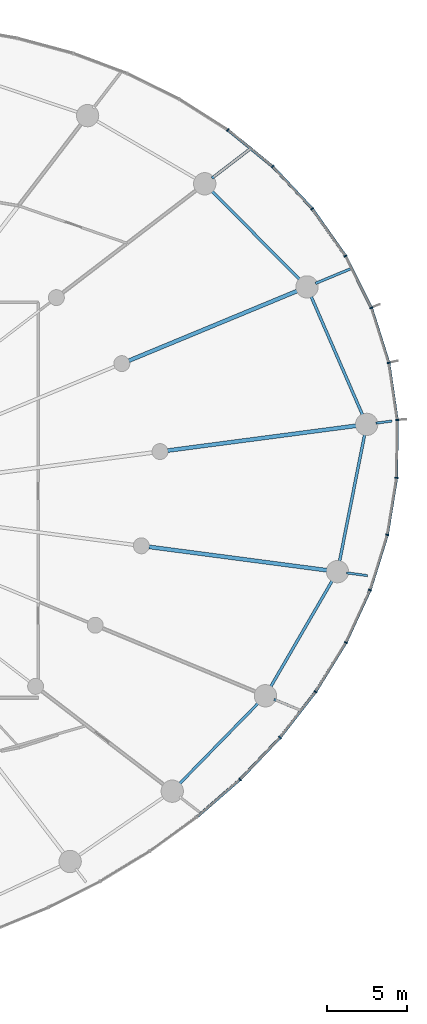
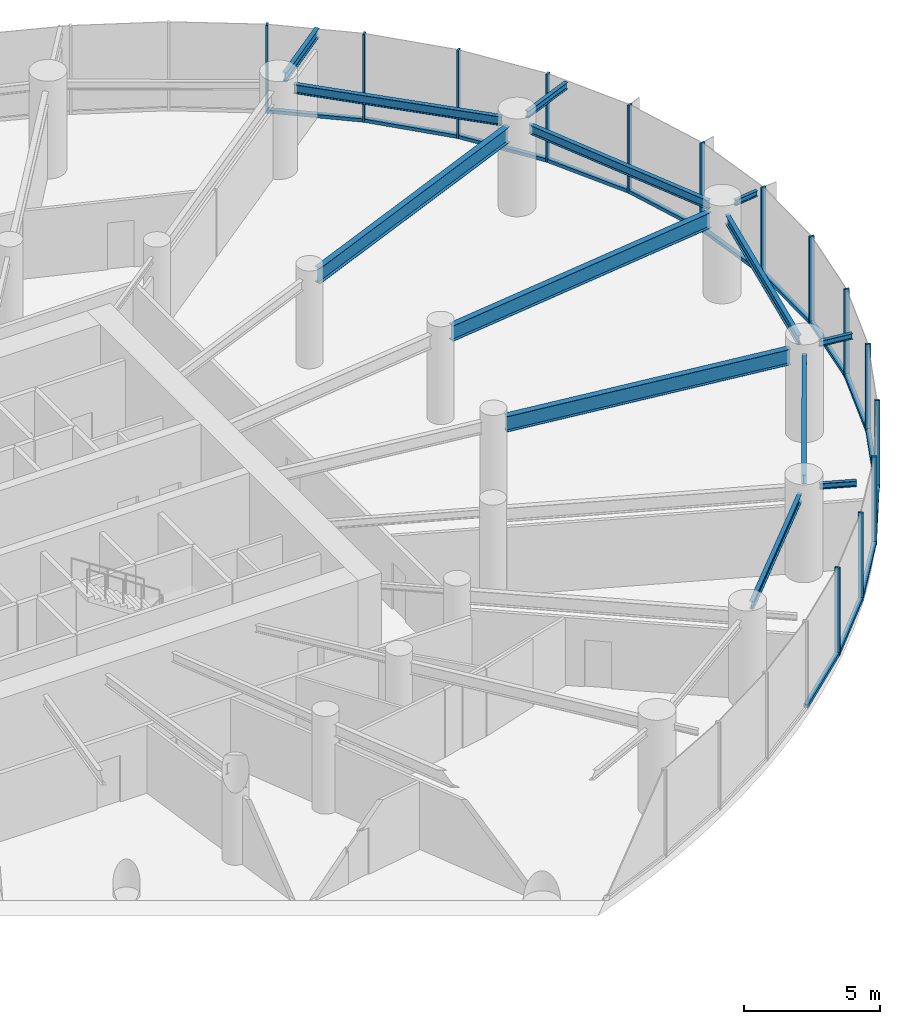
# One storey, part 8 of 18: 28 members, 13 beams, 3 elements without a shape of their own.
"""IFC4 building model written with IfcOpenShell, lengths in metres."""

from ifc_helpers import new_model, si_unit, direction, frame, origin, origin_2d, place, context, subcontext, project, spatial, rectangle, i_section, extrude, source, transform, mapped, material, layer, layer_set, material_profile, profile_set, type_object, element, aggregate, save


model = new_model("IFC4")

# Units and contexts
model_context = context("Model", 3, precision=1e-05, world=origin(), true_north=direction((0.0, 1.0)))
body_context = subcontext(model_context, "Body", "Model", "MODEL_VIEW")
ifc_project = project(units=[si_unit("LENGTHUNIT", "METRE"), si_unit("AREAUNIT", "SQUARE_METRE"), si_unit("VOLUMEUNIT", "CUBIC_METRE"), si_unit("PLANEANGLEUNIT", "RADIAN"), si_unit("MASSUNIT", "GRAM", prefix="KILO")], contexts=[model_context])

# Site, building, storey
site_placement = place(None, origin())
site = spatial("IfcSite", under=ifc_project, at=site_placement, CompositionType="ELEMENT")
building_placement = place(site_placement, origin())
building = spatial("IfcBuilding", under=site, at=building_placement, Name="Spindrift Exchange Tower", CompositionType="ELEMENT")
storey_placement = place(building_placement, frame((0.0, 0.0, 62.199951171875)))
storey = spatial("IfcBuildingStorey", under=building, at=storey_placement, Name="L14", CompositionType="ELEMENT", Elevation=62.199951171875)

# Beams
ifc_material_1 = material(Name="Steel Grade 300", Category="steel")
ifc_material_profile_1 = material_profile(ifc_material_1, i_section(OverallWidth=0.25, OverallDepth=0.699951171875, WebThickness=0.008056640625, FlangeThickness=0.011962890625, at=origin_2d()), Name="700WB115")
ifc_profile_set_1 = profile_set([ifc_material_profile_1], Name="Steel Grade 300")
beam_type_1 = type_object("IfcBeamType", Name="Floor Beam 700WB115 Steel Grade 300", PredefinedType="BEAM", material=ifc_profile_set_1)
shared_shape_1 = source(origin(), body_context, "Body", "SweptSolid", [
    extrude(i_section(OverallWidth=0.25, OverallDepth=0.699951171875, WebThickness=0.008056640625, FlangeThickness=0.011962890625, at=origin_2d()), origin(), (0.0, 0.0, 1.0), 12.00830078125),
])
beam_1_placement = place(storey_placement, frame((75.509765625, 51.09521484375, 3.60009765625), z_axis=(0.991444950947, 0.130525511844, 0.0), x_axis=(-0.130525511844, 0.991444950947, 0.0)))
element("IfcBeam", 1, at=beam_1_placement, inside=storey, type_object=beam_type_1, Name="L14 radial beam R01B", PredefinedType="BEAM", context=body_context, shape_type="MappedRepresentation", body=[
    mapped(shared_shape_1, transform((0.0, 0.0, 0.0), scale=1.0)),
])
shared_shape_2 = source(origin(), body_context, "Body", "SweptSolid", [
    extrude(i_section(OverallWidth=0.25, OverallDepth=0.699951171875, WebThickness=0.008056640625, FlangeThickness=0.011962890625, at=origin_2d()), origin(), (0.0, 0.0, 1.0), 11.505859375),
])
beam_2_placement = place(storey_placement, frame((73.082763671875, 56.73291015625, 3.60009765625), z_axis=(0.923881578419, 0.38267849307, 0.0), x_axis=(-0.38267849307, 0.923881578419, 0.0)))
element("IfcBeam", 2, at=beam_2_placement, inside=storey, type_object=beam_type_1, Name="L14 radial beam R02B", PredefinedType="BEAM", context=body_context, shape_type="MappedRepresentation", body=[
    mapped(shared_shape_2, transform((0.0, 0.0, 0.0), scale=1.0)),
])
shared_shape_3 = source(origin(), body_context, "Body", "SweptSolid", [
    extrude(i_section(OverallWidth=0.25, OverallDepth=0.699951171875, WebThickness=0.008056640625, FlangeThickness=0.011962890625, at=origin_2d()), origin(), (0.0, 0.0, 1.0), 11.34423828125),
])
beam_3_placement = place(storey_placement, frame((74.339111328125, 45.05908203125, 3.60009765625), z_axis=(0.991444770187, -0.130526884848, 0.0), x_axis=(0.130526884848, 0.991444770187, 0.0)))
element("IfcBeam", 3, at=beam_3_placement, inside=storey, type_object=beam_type_1, Name="L14 radial beam R24B", PredefinedType="BEAM", context=body_context, shape_type="MappedRepresentation", body=[
    mapped(shared_shape_3, transform((0.0, 0.0, 0.0), scale=1.0)),
])
ifc_material_profile_2 = material_profile(ifc_material_1, i_section(OverallWidth=0.177978515625, OverallDepth=0.406005859375, WebThickness=0.0078125, FlangeThickness=0.0126953125, FilletRadius=0.013916015625, at=origin_2d()), Name="410UB59.7")
ifc_profile_set_2 = profile_set([ifc_material_profile_2], Name="Steel Grade 300")
beam_type_2 = type_object("IfcBeamType", Name="Edge Beam 410UB59.7 Steel Grade 300", PredefinedType="SPANDREL", material=ifc_profile_set_2)
shared_shape_4 = source(origin(), body_context, "Body", "SweptSolid", [
    extrude(i_section(OverallWidth=0.177978515625, OverallDepth=0.406005859375, WebThickness=0.0078125, FlangeThickness=0.0126953125, FilletRadius=0.013916015625, at=origin_2d()), origin(), (0.0, 0.0, 1.0), 8.23681640625),
])
beam_4_placement = place(storey_placement, frame((87.759521484375, 53.270263671875, 3.7470703125), z_axis=(-0.398186298756, 0.91730456855, 0.0), x_axis=(-0.91730456855, -0.398186298756, 0.0)))
element("IfcBeam", 4, at=beam_4_placement, inside=storey, type_object=beam_type_2, Name="L14 edge beam E01", PredefinedType="SPANDREL", context=body_context, shape_type="MappedRepresentation", body=[
    mapped(shared_shape_4, transform((0.0, 0.0, 0.0), scale=1.0)),
])
shared_shape_5 = source(origin(), body_context, "Body", "SweptSolid", [
    extrude(i_section(OverallWidth=0.177978515625, OverallDepth=0.406005859375, WebThickness=0.0078125, FlangeThickness=0.0126953125, FilletRadius=0.013916015625, at=origin_2d()), origin(), (0.0, 0.0, 1.0), 7.947509765625),
])
beam_5_placement = place(storey_placement, frame((83.840576171875, 61.769775390625, 3.7470703125), z_axis=(-0.704197895271, 0.710003749494, 0.0), x_axis=(-0.710003749494, -0.704197895271, 0.0)))
element("IfcBeam", 5, at=beam_5_placement, inside=storey, type_object=beam_type_2, Name="L14 edge beam E02", PredefinedType="SPANDREL", context=body_context, shape_type="MappedRepresentation", body=[
    mapped(shared_shape_5, transform((0.0, 0.0, 0.0), scale=1.0)),
])
ifc_material_profile_3 = material_profile(ifc_material_1, i_section(OverallWidth=0.172119140625, OverallDepth=0.35888671875, WebThickness=0.008056640625, FlangeThickness=0.012939453125, FilletRadius=0.013916015625, at=origin_2d()), Name="360UB56.7")
ifc_profile_set_3 = profile_set([ifc_material_profile_3], Name="Steel Grade 300")
beam_type_3 = type_object("IfcBeamType", Name="Edge Beam 360UB56.7 Steel Grade 300", PredefinedType="SPANDREL", material=ifc_profile_set_3)
shared_shape_6 = source(origin(), body_context, "Body", "SweptSolid", [
    extrude(i_section(OverallWidth=0.172119140625, OverallDepth=0.35888671875, WebThickness=0.008056640625, FlangeThickness=0.012939453125, FilletRadius=0.013916015625, at=origin_2d()), origin(), (0.0, 0.0, 1.0), 7.2041015625),
])
beam_6_placement = place(storey_placement, frame((76.205810546875, 30.152099609375, 3.7705078125), z_axis=(0.698703626006, 0.715411240481, 0.0), x_axis=(-0.715411240481, 0.698703626006, 0.0)))
element("IfcBeam", 6, at=beam_6_placement, inside=storey, type_object=beam_type_3, Name="L14 edge beam E22", PredefinedType="SPANDREL", context=body_context, shape_type="MappedRepresentation", body=[
    mapped(shared_shape_6, transform((0.0, 0.0, 0.0), scale=1.0)),
])
shared_shape_7 = source(origin(), body_context, "Body", "SweptSolid", [
    extrude(i_section(OverallWidth=0.177978515625, OverallDepth=0.406005859375, WebThickness=0.0078125, FlangeThickness=0.0126953125, FilletRadius=0.013916015625, at=origin_2d()), origin(), (0.0, 0.0, 1.0), 7.837646484375),
])
beam_7_placement = place(storey_placement, frame((81.935791015625, 36.222412109375, 3.7470703125), z_axis=(0.50198145655, 0.864878382942, 0.0), x_axis=(-0.864878382942, 0.50198145655, 0.0)))
element("IfcBeam", 7, at=beam_7_placement, inside=storey, type_object=beam_type_2, Name="L14 edge beam E23", PredefinedType="SPANDREL", context=body_context, shape_type="MappedRepresentation", body=[
    mapped(shared_shape_7, transform((0.0, 0.0, 0.0), scale=1.0)),
])
shared_shape_8 = source(origin(), body_context, "Body", "SweptSolid", [
    extrude(i_section(OverallWidth=0.177978515625, OverallDepth=0.406005859375, WebThickness=0.0078125, FlangeThickness=0.0126953125, FilletRadius=0.013916015625, at=origin_2d()), origin(), (0.0, 0.0, 1.0), 8.2548828125),
])
beam_8_placement = place(storey_placement, frame((86.27392578125, 44.071533203125, 3.7470703125), z_axis=(0.194278723288, 0.9809463684, 0.0), x_axis=(-0.9809463684, 0.194278723288, 0.0)))
element("IfcBeam", 8, at=beam_8_placement, inside=storey, type_object=beam_type_2, Name="L14 edge beam E24", PredefinedType="SPANDREL", context=body_context, shape_type="MappedRepresentation", body=[
    mapped(shared_shape_8, transform((0.0, 0.0, 0.0), scale=1.0)),
])
ifc_material_profile_4 = material_profile(ifc_material_1, i_section(OverallWidth=0.14599609375, OverallDepth=0.251953125, WebThickness=0.006103515625, FlangeThickness=0.008544921875, FilletRadius=0.011962890625, at=origin_2d()), Name="250UB31.4")
ifc_profile_set_4 = profile_set([ifc_material_profile_4], Name="Steel Grade 300")
beam_type_4 = type_object("IfcBeamType", Name="Cantilever Beam 250UB31.4 Steel Grade 300", PredefinedType="BEAM", material=ifc_profile_set_4)
shared_shape_9 = source(origin(), body_context, "Body", "SweptSolid", [
    extrude(i_section(OverallWidth=0.14599609375, OverallDepth=0.251953125, WebThickness=0.006103515625, FlangeThickness=0.008544921875, FilletRadius=0.011962890625, at=origin_2d()), origin(), (0.0, 0.0, 1.0), 1.032470703125),
])
beam_9_placement = place(storey_placement, frame((88.5654296875, 52.81396484375, 3.823974609375), z_axis=(0.991445440374, 0.130521794201, 0.0), x_axis=(-0.130521794201, 0.991445440374, 0.0)))
element("IfcBeam", 9, at=beam_9_placement, inside=storey, type_object=beam_type_4, Name="L14 cantilever beam R01T", PredefinedType="BEAM", context=body_context, shape_type="MappedRepresentation", body=[
    mapped(shared_shape_9, transform((0.0, 0.0, 0.0), scale=1.0)),
])
ifc_material_profile_5 = material_profile(ifc_material_1, i_section(OverallWidth=0.1650390625, OverallDepth=0.303955078125, WebThickness=0.006103515625, FlangeThickness=0.01025390625, FilletRadius=0.011474609375, at=origin_2d()), Name="310UB40.4")
ifc_profile_set_5 = profile_set([ifc_material_profile_5], Name="Steel Grade 300")
beam_type_5 = type_object("IfcBeamType", Name="Cantilever Beam 310UB40.4 Steel Grade 300", PredefinedType="BEAM", material=ifc_profile_set_5)
shared_shape_10 = source(origin(), body_context, "Body", "SweptSolid", [
    extrude(i_section(OverallWidth=0.1650390625, OverallDepth=0.303955078125, WebThickness=0.006103515625, FlangeThickness=0.01025390625, FilletRadius=0.011474609375, at=origin_2d()), origin(), (0.0, 0.0, 1.0), 2.391357421875),
])
beam_10_placement = place(storey_placement, frame((84.78466796875, 61.579833984375, 3.798095703125), z_axis=(0.92385132208, 0.382751531272, 0.0), x_axis=(-0.382751531272, 0.92385132208, 0.0)))
element("IfcBeam", 10, at=beam_10_placement, inside=storey, type_object=beam_type_5, Name="L14 cantilever beam R02T", PredefinedType="BEAM", context=body_context, shape_type="MappedRepresentation", body=[
    mapped(shared_shape_10, transform((0.0, 0.0, 0.0), scale=1.0)),
])
ifc_material_profile_6 = material_profile(ifc_material_1, i_section(OverallWidth=0.177978515625, OverallDepth=0.406005859375, WebThickness=0.0078125, FlangeThickness=0.0126953125, FilletRadius=0.013916015625, at=origin_2d()), Name="410UB59.7")
ifc_profile_set_6 = profile_set([ifc_material_profile_6], Name="Steel Grade 300")
beam_type_6 = type_object("IfcBeamType", Name="Cantilever Beam 410UB59.7 Steel Grade 300", PredefinedType="BEAM", material=ifc_profile_set_6)
shared_shape_11 = source(origin(), body_context, "Body", "SweptSolid", [
    extrude(i_section(OverallWidth=0.177978515625, OverallDepth=0.406005859375, WebThickness=0.0078125, FlangeThickness=0.0126953125, FilletRadius=0.013916015625, at=origin_2d()), origin(), (0.0, 0.0, 1.0), 3.128662109375),
])
beam_11_placement = place(storey_placement, frame((78.295654296875, 68.177490234375, 3.7470703125), z_axis=(0.793368923272, 0.608741120335, 0.0), x_axis=(-0.608741120335, 0.793368923272, 0.0)))
element("IfcBeam", 11, at=beam_11_placement, inside=storey, type_object=beam_type_6, Name="L14 cantilever beam R03T", PredefinedType="BEAM", context=body_context, shape_type="MappedRepresentation", body=[
    mapped(shared_shape_11, transform((0.0, 0.0, 0.0), scale=1.0)),
])
shared_shape_12 = source(origin(), body_context, "Body", "SweptSolid", [
    extrude(i_section(OverallWidth=0.14599609375, OverallDepth=0.251953125, WebThickness=0.006103515625, FlangeThickness=0.008544921875, FilletRadius=0.011962890625, at=origin_2d()), origin(), (0.0, 0.0, 1.0), 1.374267578125),
])
beam_12_placement = place(storey_placement, frame((82.180419921875, 35.498779296875, 3.823974609375), z_axis=(0.92389992631, -0.382634193669, 0.0), x_axis=(0.382634193669, 0.92389992631, 0.0)))
element("IfcBeam", 12, at=beam_12_placement, inside=storey, type_object=beam_type_4, Name="L14 cantilever beam R23T", PredefinedType="BEAM", context=body_context, shape_type="MappedRepresentation", body=[
    mapped(shared_shape_12, transform((0.0, 0.0, 0.0), scale=1.0)),
])
shared_shape_13 = source(origin(), body_context, "Body", "SweptSolid", [
    extrude(i_section(OverallWidth=0.14599609375, OverallDepth=0.251953125, WebThickness=0.006103515625, FlangeThickness=0.008544921875, FilletRadius=0.011962890625, at=origin_2d()), origin(), (0.0, 0.0, 1.0), 1.32421875),
])
beam_13_placement = place(storey_placement, frame((86.736083984375, 43.427001953125, 3.823974609375), z_axis=(0.991445508648, -0.13052127559, 0.0), x_axis=(0.13052127559, 0.991445508648, 0.0)))
element("IfcBeam", 13, at=beam_13_placement, inside=storey, type_object=beam_type_4, Name="L14 cantilever beam R24T", PredefinedType="BEAM", context=body_context, shape_type="MappedRepresentation", body=[
    mapped(shared_shape_13, transform((0.0, 0.0, 0.0), scale=1.0)),
])

# Curtain wall, members
ifc_material_2 = material(Name="Fritted laminated glass with bronze frame", Category="glass")
ifc_layer = layer(ifc_material_2, 0.199951171875)
ifc_layer_set = layer_set([ifc_layer], Name="ZONE 1 BRONZE FRITTED WALL")
curtain_wall_type = type_object("IfcCurtainWallType", Name="ZONE 1 BRONZE FRITTED WALL", PredefinedType="NOTDEFINED", material=ifc_layer_set)
curtain_wall_1_placement = place(storey_placement, origin())
curtain_wall_1 = element("IfcCurtainWall", 14, at=curtain_wall_1_placement, inside=storey, type_object=curtain_wall_type, Name="L14 Zone 1 Bronze Fritted Wall run 1", PredefinedType="NOTDEFINED")
ifc_material_3 = material(Name="Bronze anodised aluminium", Category="aluminium")
ifc_material_profile_7 = material_profile(ifc_material_3, rectangle(XDim=0.080078125, YDim=0.199951171875, at=origin_2d()), Name="ZONE 1 BRONZE FRITTED WALL MULLION 80X200")
ifc_profile_set_7 = profile_set([ifc_material_profile_7], Name="Bronze anodised aluminium")
member_type_1 = type_object("IfcMemberType", Name="ZONE 1 BRONZE FRITTED WALL MULLION 80X200", PredefinedType="MULLION", material=ifc_profile_set_7)
shared_shape_14 = source(origin(), body_context, "Body", "SweptSolid", [
    extrude(rectangle(XDim=0.080078125, YDim=0.199951171875, at=origin_2d()), origin(), (0.0, 0.0, 1.0), 3.949951171875),
])
member_1_placement = place(storey_placement, frame((89.373779296875, 56.597412109375, 0.0), z_axis=(0.0, 0.0, 1.0), x_axis=(-0.224184827282, 0.974546644967, 0.0)))
member_1 = element("IfcMember", 15, at=member_1_placement, type_object=member_type_1, Name="L14 mullion CW-1.1", PredefinedType="MULLION", context=body_context, shape_type="MappedRepresentation", body=[
    mapped(shared_shape_14, transform((0.0, 0.0, 0.0), scale=1.0)),
])
member_2_placement = place(storey_placement, frame((88.28271484375, 60.0537109375, 0.0), z_axis=(0.0, 0.0, 1.0), x_axis=(-0.374986256491, 0.927030370292, 0.0)))
member_2 = element("IfcMember", 16, at=member_2_placement, type_object=member_type_1, Name="L14 mullion CW-1.2", PredefinedType="MULLION", context=body_context, shape_type="MappedRepresentation", body=[
    mapped(shared_shape_14, transform((0.0, 0.0, 0.0), scale=1.0)),
])
member_3_placement = place(storey_placement, frame((86.6640625, 63.296630859375, 0.0), z_axis=(0.0, 0.0, 1.0), x_axis=(-0.512533265079, 0.858667369933, 0.0)))
member_3 = element("IfcMember", 17, at=member_3_placement, type_object=member_type_1, Name="L14 mullion CW-1.3", PredefinedType="MULLION", context=body_context, shape_type="MappedRepresentation", body=[
    mapped(shared_shape_14, transform((0.0, 0.0, 0.0), scale=1.0)),
])
member_4_placement = place(storey_placement, frame((84.577392578125, 66.260986328125, 0.0), z_axis=(0.0, 0.0, 1.0), x_axis=(-0.631746953832, 0.775174681168, 0.0)))
member_4 = element("IfcMember", 18, at=member_4_placement, type_object=member_type_1, Name="L14 mullion CW-1.4", PredefinedType="MULLION", context=body_context, shape_type="MappedRepresentation", body=[
    mapped(shared_shape_14, transform((0.0, 0.0, 0.0), scale=1.0)),
])
member_5_placement = place(storey_placement, frame((82.094970703125, 68.903076171875, 0.0), z_axis=(0.0, 0.0, 1.0), x_axis=(-0.730688485822, 0.682711019895, 0.0)))
member_5 = element("IfcMember", 19, at=member_5_placement, type_object=member_type_1, Name="L14 mullion CW-1.5", PredefinedType="MULLION", context=body_context, shape_type="MappedRepresentation", body=[
    mapped(shared_shape_14, transform((0.0, 0.0, 0.0), scale=1.0)),
])
member_6_placement = place(storey_placement, frame((79.290283203125, 71.200927734375, 0.0), z_axis=(0.0, 0.0, 1.0), x_axis=(-0.80995400267, 0.586493404531, 0.0)))
member_6 = element("IfcMember", 20, at=member_6_placement, type_object=member_type_1, Name="L14 mullion CW-1.6", PredefinedType="MULLION", context=body_context, shape_type="MappedRepresentation", body=[
    mapped(shared_shape_14, transform((0.0, 0.0, 0.0), scale=1.0)),
])

curtain_wall_2_placement = place(storey_placement, origin())
curtain_wall_2 = element("IfcCurtainWall", 21, at=curtain_wall_2_placement, inside=storey, type_object=curtain_wall_type, Name="L14 Zone 1 Bronze Fritted Wall run 9", PredefinedType="NOTDEFINED")
member_7_placement = place(storey_placement, frame((80.055419921875, 30.4794921875, 0.0), z_axis=(0.0, 0.0, 1.0), x_axis=(0.723142514884, 0.690698851286, 0.0)))
member_7 = element("IfcMember", 22, at=member_7_placement, type_object=member_type_1, Name="L14 mullion CW-1.52", PredefinedType="MULLION", context=body_context, shape_type="MappedRepresentation", body=[
    mapped(shared_shape_14, transform((0.0, 0.0, 0.0), scale=1.0)),
])
member_8_placement = place(storey_placement, frame((82.558349609375, 33.104248046875, 0.0), z_axis=(0.0, 0.0, 1.0), x_axis=(0.652833094963, 0.757501782256, 0.0)))
member_8 = element("IfcMember", 23, at=member_8_placement, type_object=member_type_1, Name="L14 mullion CW-1.53", PredefinedType="MULLION", context=body_context, shape_type="MappedRepresentation", body=[
    mapped(shared_shape_14, transform((0.0, 0.0, 0.0), scale=1.0)),
])
member_9_placement = place(storey_placement, frame((84.78466796875, 35.967041015625, 0.0), z_axis=(0.0, 0.0, 1.0), x_axis=(0.569794348905, 0.821787320391, 0.0)))
member_9 = element("IfcMember", 24, at=member_9_placement, type_object=member_type_1, Name="L14 mullion CW-1.54", PredefinedType="MULLION", context=body_context, shape_type="MappedRepresentation", body=[
    mapped(shared_shape_14, transform((0.0, 0.0, 0.0), scale=1.0)),
])

curtain_wall_3_placement = place(storey_placement, origin())
curtain_wall_3 = element("IfcCurtainWall", 25, at=curtain_wall_3_placement, inside=storey, type_object=curtain_wall_type, Name="L14 Zone 1 Bronze Fritted Wall run 10", PredefinedType="NOTDEFINED")
member_10_placement = place(storey_placement, frame((86.684814453125, 39.0556640625, 0.0), z_axis=(0.0, 0.0, 1.0), x_axis=(0.472283014597, 0.881446966143, 0.0)))
member_10 = element("IfcMember", 26, at=member_10_placement, type_object=member_type_1, Name="L14 mullion CW-1.55", PredefinedType="MULLION", context=body_context, shape_type="MappedRepresentation", body=[
    mapped(shared_shape_14, transform((0.0, 0.0, 0.0), scale=1.0)),
])
member_11_placement = place(storey_placement, frame((88.20361328125, 42.347900390625, 0.0), z_axis=(0.0, 0.0, 1.0), x_axis=(0.358942395384, 0.933359714577, 0.0)))
member_11 = element("IfcMember", 27, at=member_11_placement, type_object=member_type_1, Name="L14 mullion CW-1.56", PredefinedType="MULLION", context=body_context, shape_type="MappedRepresentation", body=[
    mapped(shared_shape_14, transform((0.0, 0.0, 0.0), scale=1.0)),
])
member_12_placement = place(storey_placement, frame((89.281982421875, 45.809326171875, 0.0), z_axis=(0.0, 0.0, 1.0), x_axis=(0.229529764326, 0.973301642498, 0.0)))
member_12 = element("IfcMember", 28, at=member_12_placement, type_object=member_type_1, Name="L14 mullion CW-1.57", PredefinedType="MULLION", context=body_context, shape_type="MappedRepresentation", body=[
    mapped(shared_shape_14, transform((0.0, 0.0, 0.0), scale=1.0)),
])
member_13_placement = place(storey_placement, frame((89.86376953125, 49.387451171875, 0.0), z_axis=(0.0, 0.0, 1.0), x_axis=(0.085814295949, 0.996311149496, 0.0)))
member_13 = element("IfcMember", 29, at=member_13_placement, type_object=member_type_1, Name="L14 mullion CW-1.58", PredefinedType="MULLION", context=body_context, shape_type="MappedRepresentation", body=[
    mapped(shared_shape_14, transform((0.0, 0.0, 0.0), scale=1.0)),
])
member_14_placement = place(storey_placement, frame((89.902587890625, 53.01171875, 0.0), z_axis=(0.0, 0.0, 1.0), x_axis=(-0.067779954197, 0.997700294582, 0.0)))
member_14 = element("IfcMember", 30, at=member_14_placement, type_object=member_type_1, Name="L14 mullion CW-1.59", PredefinedType="MULLION", context=body_context, shape_type="MappedRepresentation", body=[
    mapped(shared_shape_14, transform((0.0, 0.0, 0.0), scale=1.0)),
])

# Member
ifc_material_profile_8 = material_profile(ifc_material_3, rectangle(XDim=0.179931640625, YDim=0.14990234375, at=origin_2d()), Name="ZONE 1 BRONZE FRITTED WALL TRANSOM 180X150")
ifc_profile_set_8 = profile_set([ifc_material_profile_8], Name="Bronze anodised aluminium")
member_type_2 = type_object("IfcMemberType", Name="ZONE 1 BRONZE FRITTED WALL TRANSOM 180X150", PredefinedType="USERDEFINED", material=ifc_profile_set_8)
shared_shape_15 = source(origin(), body_context, "Body", "SweptSolid", [
    extrude(rectangle(XDim=0.179931640625, YDim=0.14990234375, at=origin_2d()), origin(), (0.0, 0.0, 1.0), 3.54443359375),
])
member_15_placement = place(storey_placement, frame((89.36181640625, 56.635498046875, 0.074951171875), z_axis=(-0.301081918452, 0.953598279351, 0.0), x_axis=(-0.953598279351, -0.301081918452, 0.0)))
member_15 = element("IfcMember", 31, at=member_15_placement, type_object=member_type_2, Name="L14 transom CW-1.1", ObjectType="TRANSOM", PredefinedType="USERDEFINED", context=body_context, shape_type="MappedRepresentation", body=[
    mapped(shared_shape_15, transform((0.0, 0.0, 0.0), scale=1.0)),
])

member_16_placement = place(storey_placement, frame((89.896728515625, 53.05126953125, 0.074951171875), z_axis=(-0.145884621033, 0.989301610908, 0.0), x_axis=(-0.989301610908, -0.145884621033, 0.0)))
member_16 = element("IfcMember", 32, at=member_16_placement, type_object=member_type_2, Name="L14 transom CW-1.59", ObjectType="TRANSOM", PredefinedType="USERDEFINED", context=body_context, shape_type="MappedRepresentation", body=[
    mapped(shared_shape_15, transform((0.0, 0.0, 0.0), scale=1.0)),
])

shared_shape_16 = source(origin(), body_context, "Body", "SweptSolid", [
    extrude(rectangle(XDim=0.179931640625, YDim=0.14990234375, at=origin_2d()), origin(), (0.0, 0.0, 1.0), 3.544921875),
])
member_17_placement = place(storey_placement, frame((89.28857421875, 45.848876953125, 0.074951171875), z_axis=(0.16039942431, 0.987052189441, 0.0), x_axis=(-0.987052189441, 0.16039942431, 0.0)))
member_17 = element("IfcMember", 33, at=member_17_placement, type_object=member_type_2, Name="L14 transom CW-1.57", ObjectType="TRANSOM", PredefinedType="USERDEFINED", context=body_context, shape_type="MappedRepresentation", body=[
    mapped(shared_shape_16, transform((0.0, 0.0, 0.0), scale=1.0)),
])

shared_shape_17 = source(origin(), body_context, "Body", "SweptSolid", [
    extrude(rectangle(XDim=0.179931640625, YDim=0.14990234375, at=origin_2d()), origin(), (0.0, 0.0, 1.0), 3.545654296875),
])
member_18_placement = place(storey_placement, frame((84.550048828125, 66.2900390625, 0.074951171875), z_axis=(-0.684728665607, 0.728798088977, 0.0), x_axis=(-0.728798088977, -0.684728665607, 0.0)))
member_18 = element("IfcMember", 34, at=member_18_placement, type_object=member_type_2, Name="L14 transom CW-1.4", ObjectType="TRANSOM", PredefinedType="USERDEFINED", context=body_context, shape_type="MappedRepresentation", body=[
    mapped(shared_shape_17, transform((0.0, 0.0, 0.0), scale=1.0)),
])

member_19_placement = place(storey_placement, frame((86.70166015625, 39.092041015625, 0.074951171875), z_axis=(0.418844211895, 0.908058107261, 0.0), x_axis=(-0.908058107261, 0.418844211895, 0.0)))
member_19 = element("IfcMember", 35, at=member_19_placement, type_object=member_type_2, Name="L14 transom CW-1.55", ObjectType="TRANSOM", PredefinedType="USERDEFINED", context=body_context, shape_type="MappedRepresentation", body=[
    mapped(shared_shape_17, transform((0.0, 0.0, 0.0), scale=1.0)),
])

shared_shape_18 = source(origin(), body_context, "Body", "SweptSolid", [
    extrude(rectangle(XDim=0.179931640625, YDim=0.14990234375, at=origin_2d()), origin(), (0.0, 0.0, 1.0), 3.546142578125),
])
member_20_placement = place(storey_placement, frame((82.5830078125, 33.135986328125, 0.074951171875), z_axis=(0.613897716399, 0.789385579929, 0.0), x_axis=(-0.789385579929, 0.613897716399, 0.0)))
member_20 = element("IfcMember", 36, at=member_20_placement, type_object=member_type_2, Name="L14 transom CW-1.53", ObjectType="TRANSOM", PredefinedType="USERDEFINED", context=body_context, shape_type="MappedRepresentation", body=[
    mapped(shared_shape_18, transform((0.0, 0.0, 0.0), scale=1.0)),
])

shared_shape_19 = source(origin(), body_context, "Body", "SweptSolid", [
    extrude(rectangle(XDim=0.179931640625, YDim=0.14990234375, at=origin_2d()), origin(), (0.0, 0.0, 1.0), 3.546875),
])
member_21_placement = place(storey_placement, frame((80.0830078125, 30.508544921875, 0.074951171875), z_axis=(0.690112225207, 0.723702367427, 0.0), x_axis=(-0.723702367427, 0.690112225207, 0.0)))
member_21 = element("IfcMember", 37, at=member_21_placement, type_object=member_type_2, Name="L14 transom CW-1.52", ObjectType="TRANSOM", PredefinedType="USERDEFINED", context=body_context, shape_type="MappedRepresentation", body=[
    mapped(shared_shape_19, transform((0.0, 0.0, 0.0), scale=1.0)),
])

shared_shape_20 = source(origin(), body_context, "Body", "SweptSolid", [
    extrude(rectangle(XDim=0.179931640625, YDim=0.14990234375, at=origin_2d()), origin(), (0.0, 0.0, 1.0), 3.547119140625),
])
member_22_placement = place(storey_placement, frame((77.3486328125, 28.125732421875, 0.074951171875), z_axis=(0.754572921895, 0.656216203352, 0.0), x_axis=(-0.656216203352, 0.754572921895, 0.0)))
member_22 = element("IfcMember", 38, at=member_22_placement, type_object=member_type_2, Name="L14 transom CW-1.51", ObjectType="TRANSOM", PredefinedType="USERDEFINED", context=body_context, shape_type="MappedRepresentation", body=[
    mapped(shared_shape_20, transform((0.0, 0.0, 0.0), scale=1.0)),
])

shared_shape_21 = source(origin(), body_context, "Body", "SweptSolid", [
    extrude(rectangle(XDim=0.179931640625, YDim=0.14990234375, at=origin_2d()), origin(), (0.0, 0.0, 1.0), 3.54638671875),
])
member_23_placement = place(storey_placement, frame((84.8056640625, 36.0009765625, 0.074951171875), z_axis=(0.523970664415, 0.851736310622, 0.0), x_axis=(-0.851736310622, 0.523970664415, 0.0)))
member_23 = element("IfcMember", 39, at=member_23_placement, type_object=member_type_2, Name="L14 transom CW-1.54", ObjectType="TRANSOM", PredefinedType="USERDEFINED", context=body_context, shape_type="MappedRepresentation", body=[
    mapped(shared_shape_21, transform((0.0, 0.0, 0.0), scale=1.0)),
])

aggregate(curtain_wall_2, [member_22, member_7, member_21, member_8, member_20, member_9, member_23])

shared_shape_22 = source(origin(), body_context, "Body", "SweptSolid", [
    extrude(rectangle(XDim=0.179931640625, YDim=0.14990234375, at=origin_2d()), origin(), (0.0, 0.0, 1.0), 3.545166015625),
])
member_24_placement = place(storey_placement, frame((86.640869140625, 63.329345703125, 0.074951171875), z_axis=(-0.575595755411, 0.817734386187, 0.0), x_axis=(-0.817734386187, -0.575595755411, 0.0)))
member_24 = element("IfcMember", 40, at=member_24_placement, type_object=member_type_2, Name="L14 transom CW-1.3", ObjectType="TRANSOM", PredefinedType="USERDEFINED", context=body_context, shape_type="MappedRepresentation", body=[
    mapped(shared_shape_22, transform((0.0, 0.0, 0.0), scale=1.0)),
])

member_25_placement = place(storey_placement, frame((88.215576171875, 42.38623046875, 0.074951171875), z_axis=(0.297490680834, 0.95472472201, 0.0), x_axis=(-0.95472472201, 0.297490680834, 0.0)))
member_25 = element("IfcMember", 41, at=member_25_placement, type_object=member_type_2, Name="L14 transom CW-1.56", ObjectType="TRANSOM", PredefinedType="USERDEFINED", context=body_context, shape_type="MappedRepresentation", body=[
    mapped(shared_shape_22, transform((0.0, 0.0, 0.0), scale=1.0)),
])

shared_shape_23 = source(origin(), body_context, "Body", "SweptSolid", [
    extrude(rectangle(XDim=0.179931640625, YDim=0.14990234375, at=origin_2d()), origin(), (0.0, 0.0, 1.0), 3.5458984375),
])
member_26_placement = place(storey_placement, frame((82.06396484375, 68.928466796875, 0.074951171875), z_axis=(-0.773561414793, 0.63372134061, 0.0), x_axis=(-0.63372134061, -0.773561414793, 0.0)))
member_26 = element("IfcMember", 42, at=member_26_placement, type_object=member_type_2, Name="L14 transom CW-1.5", ObjectType="TRANSOM", PredefinedType="USERDEFINED", context=body_context, shape_type="MappedRepresentation", body=[
    mapped(shared_shape_23, transform((0.0, 0.0, 0.0), scale=1.0)),
])

shared_shape_24 = source(origin(), body_context, "Body", "SweptSolid", [
    extrude(rectangle(XDim=0.179931640625, YDim=0.14990234375, at=origin_2d()), origin(), (0.0, 0.0, 1.0), 3.544677734375),
])
member_27_placement = place(storey_placement, frame((88.2646484375, 60.08935546875, 0.074951171875), z_axis=(-0.446524700447, 0.894771307034, 0.0), x_axis=(-0.894771307034, -0.446524700447, 0.0)))
member_27 = element("IfcMember", 43, at=member_27_placement, type_object=member_type_2, Name="L14 transom CW-1.2", ObjectType="TRANSOM", PredefinedType="USERDEFINED", context=body_context, shape_type="MappedRepresentation", body=[
    mapped(shared_shape_24, transform((0.0, 0.0, 0.0), scale=1.0)),
])

aggregate(curtain_wall_1, [member_1, member_15, member_2, member_27, member_3, member_24, member_4, member_18, member_5, member_26, member_6])

member_28_placement = place(storey_placement, frame((89.864013671875, 49.427490234375, 0.074951171875), z_axis=(0.010744661442, 0.999942274459, 0.0), x_axis=(-0.999942274459, 0.010744661442, 0.0)))
member_28 = element("IfcMember", 44, at=member_28_placement, type_object=member_type_2, Name="L14 transom CW-1.58", ObjectType="TRANSOM", PredefinedType="USERDEFINED", context=body_context, shape_type="MappedRepresentation", body=[
    mapped(shared_shape_24, transform((0.0, 0.0, 0.0), scale=1.0)),
])

aggregate(curtain_wall_3, [member_10, member_19, member_11, member_25, member_12, member_17, member_13, member_28, member_14, member_16])

save(model, "model.ifc")
